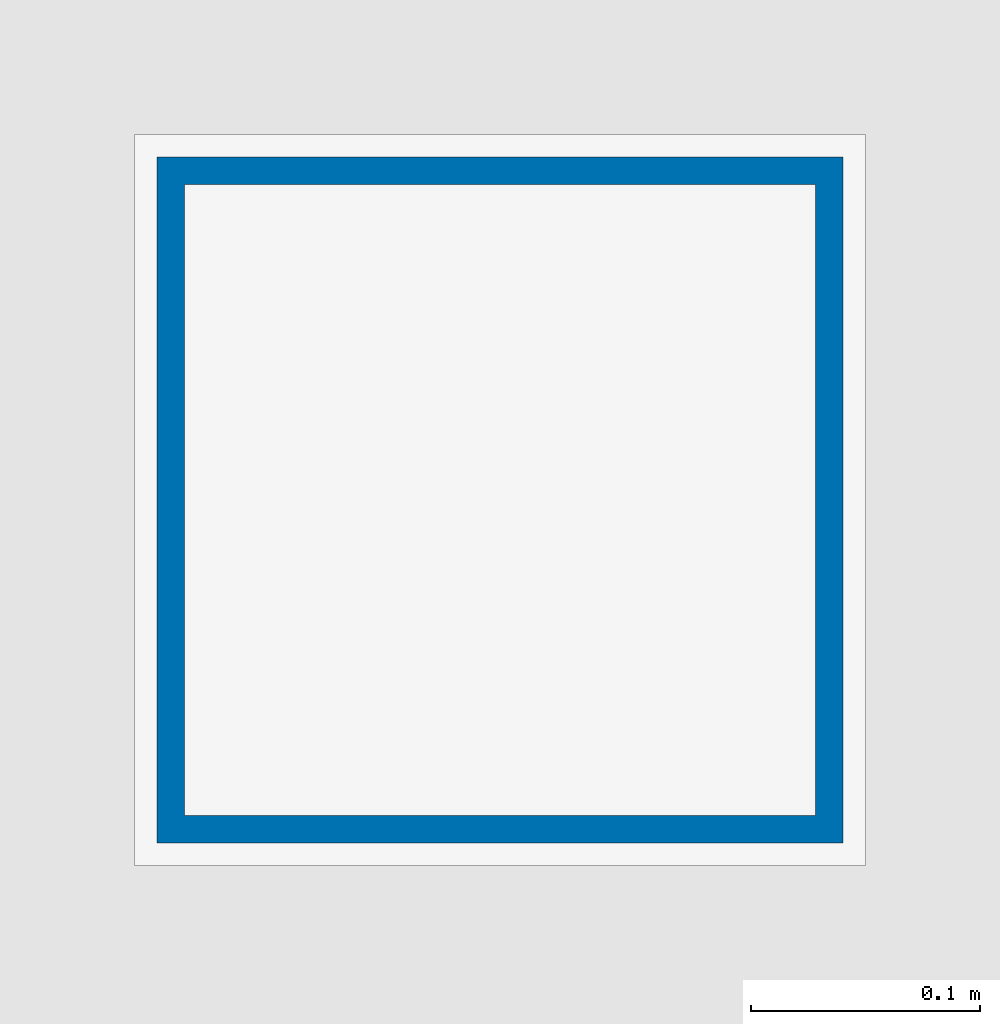
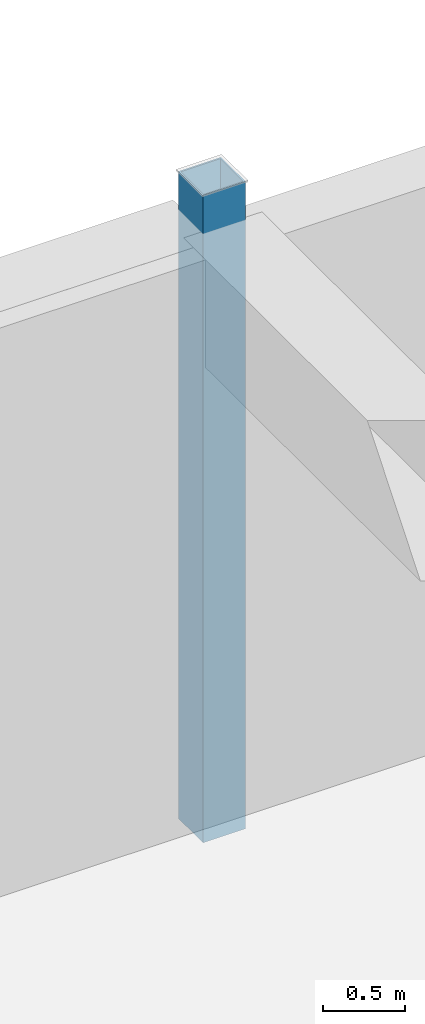
# One storey, part 11 of 42: 1 column.
"""IFC4 building model written with IfcOpenShell, lengths in metres."""

import ifcopenshell
import ifcopenshell.guid

model = None  # the IFC model being written
_history = None  # IfcOwnerHistory: only IFC2X3 demands one
_inside = {}  # id of a spatial element -> (the spatial element, [elements in it])
_under = {}  # id of a project, library or spatial element -> (it, [spatial elements below it])
_declared = {}  # id of a project -> (the project, [libraries it declares])
_typed = {}  # id of a type object -> (the type object, [elements of that type])
_made_of = {}  # id of a material, layer set ... -> (it, [elements and type objects made of it])


def new_model(schema):
    """Start an empty IFC model of exactly this schema.

    Asked for "IFC4X3", IfcOpenShell would pick the latest addendum, in which some entities
    have other attributes; the version numbers below select the first issue.
    IFC2X3 requires an IfcOwnerHistory on every rooted entity: one is made here for all.
    """
    global model, _history
    if schema == "IFC4X3":
        model = ifcopenshell.file(schema_version=(4, 3, 0, 0))
    else:
        model = ifcopenshell.file(schema=schema)
    _inside.clear()
    _under.clear()
    _declared.clear()
    _typed.clear()
    _made_of.clear()
    _history = None
    if model.schema == "IFC2X3":
        org = make("IfcOrganization", Name="unknown")
        user = make(
            "IfcPersonAndOrganization",
            ThePerson=make("IfcPerson", FamilyName="unknown"),
            TheOrganization=org,
        )
        app = make(
            "IfcApplication",
            ApplicationDeveloper=org,
            Version="unknown",
            ApplicationFullName="unknown",
            ApplicationIdentifier="unknown",
        )
        _history = make(
            "IfcOwnerHistory",
            OwningUser=user,
            OwningApplication=app,
            ChangeAction="ADDED",
            CreationDate=0,
        )
    return model


def make(cls, **values):
    """One entity of the class cls with the attributes given. An attribute that is None is left unset."""
    return model.create_entity(
        cls, **{name: value for name, value in values.items() if value is not None}
    )


def rooted(cls, **values):
    """An entity with a GlobalId (a new one), such as an element, a storey or a relation."""
    return make(cls, GlobalId=ifcopenshell.guid.new(), OwnerHistory=_history, **values)


def si_unit(unit_type, name, prefix=None):
    """IfcSIUnit, for example si_unit("LENGTHUNIT", "METRE", prefix="MILLI")."""
    return make("IfcSIUnit", UnitType=unit_type, Prefix=prefix, Name=name)


def assignment(units):
    """IfcUnitAssignment: the units of a project."""
    return None if units is None else make("IfcUnitAssignment", Units=units)


def point(xyz):
    """IfcCartesianPoint."""
    return None if xyz is None else make("IfcCartesianPoint", Coordinates=xyz)


def direction(xyz):
    """IfcDirection."""
    return None if xyz is None else make("IfcDirection", DirectionRatios=xyz)


def frame(location, z_axis=None, x_axis=None):
    """IfcAxis2Placement3D, a coordinate frame: its origin and axes. An axis left out is left unset."""
    return make(
        "IfcAxis2Placement3D",
        Location=point(location),
        Axis=direction(z_axis),
        RefDirection=direction(x_axis),
    )


def frame_2d(location, x_axis=None):
    """IfcAxis2Placement2D, a coordinate frame in the plane: its origin and x axis."""
    return make(
        "IfcAxis2Placement2D", Location=point(location), RefDirection=direction(x_axis)
    )


def origin():
    """The frame at (0, 0, 0) with its axes left unset."""
    return frame((0.0, 0.0, 0.0))


def origin_2d():
    """The frame at (0, 0) in the plane with its x axis left unset."""
    return frame_2d((0.0, 0.0))


def place(relative_to, where):
    """IfcLocalPlacement: puts the frame where relative to a parent placement (None: the world)."""
    return make(
        "IfcLocalPlacement", PlacementRelTo=relative_to, RelativePlacement=where
    )


def context(
    kind, dimensions, precision=None, world=None, true_north=None, identifier=None
):
    """IfcGeometricRepresentationContext, for example the 3D "Model" context."""
    return make(
        "IfcGeometricRepresentationContext",
        ContextIdentifier=identifier,
        ContextType=kind,
        CoordinateSpaceDimension=dimensions,
        Precision=precision,
        WorldCoordinateSystem=world,
        TrueNorth=true_north,
    )


def subcontext(parent, identifier, kind, view, scale=None):
    """IfcGeometricRepresentationSubContext, for example "Body" below "Model"."""
    return make(
        "IfcGeometricRepresentationSubContext",
        ContextIdentifier=identifier,
        ContextType=kind,
        ParentContext=parent,
        TargetScale=scale,
        TargetView=view,
    )


def project(units=None, contexts=None):
    """IfcProject with its units and contexts."""
    return rooted(
        "IfcProject",
        Name="project",
        RepresentationContexts=contexts,
        UnitsInContext=assignment(units),
    )


def spatial(cls, under=None, at=None, **own):
    """A site, building, storey or space (cls), placed at a placement, below another one or the project."""
    s = rooted(cls, ObjectPlacement=at, **own)
    if under is not None:
        _under.setdefault(under.id(), (under, []))[1].append(s)
    return s


def profile(cls, at=None, kind="AREA", **sizes):
    """A parametric profile (cls). Its sizes go by their IFC names, for example OverallWidth=200.0."""
    return make(cls, ProfileType=kind, Position=at, **sizes)


def hollow_rectangle(**sizes):
    """IfcRectangleHollowProfileDef."""
    return profile("IfcRectangleHollowProfileDef", **sizes)


def extrude(swept, where, along, depth):
    """IfcExtrudedAreaSolid: the profile swept, set in the frame where, extruded along a direction by depth."""
    return make(
        "IfcExtrudedAreaSolid",
        SweptArea=swept,
        Position=where,
        ExtrudedDirection=direction(along),
        Depth=depth,
    )


def shape(context_of_items, identifier, shape_type, items):
    """IfcShapeRepresentation: the items that make up one representation, for example the "Body"."""
    return make(
        "IfcShapeRepresentation",
        ContextOfItems=context_of_items,
        RepresentationIdentifier=identifier,
        RepresentationType=shape_type,
        Items=items,
    )


def material(Name=None, Category=None):
    """IfcMaterial."""
    return make("IfcMaterial", Name=Name, Category=Category)


def material_profile(
    of_material, cross_section, Name=None, Category=None, Priority=None
):
    """IfcMaterialProfile: a cross section and its material."""
    return make(
        "IfcMaterialProfile",
        Name=Name,
        Material=of_material,
        Profile=cross_section,
        Priority=Priority,
        Category=Category,
    )


def profile_set(profiles, Name=None, composite=None):
    """IfcMaterialProfileSet."""
    return make(
        "IfcMaterialProfileSet",
        Name=Name,
        MaterialProfiles=profiles,
        CompositeProfile=composite,
    )


def made_of(thing, what):
    """Note that an element or type object is made of a material, layer set ...; save() writes the relation."""
    if what is not None:
        _made_of.setdefault(what.id(), (what, []))[1].append(thing)
    return thing


def type_object(cls, material=None, **own):
    """A type object (cls), such as IfcWallType, which elements share."""
    return made_of(rooted(cls, **own), material)


def element(
    cls,
    number,
    at=None,
    inside=None,
    cuts=None,
    type_object=None,
    material=None,
    context=None,
    identifier="Body",
    shape_type=None,
    held_by="IfcProductDefinitionShape",
    body=None,
    shapes=None,
    **own,
):
    """One element of the class cls, such as IfcWall. Its Tag is "e" and its number.

    at: its placement. inside: the storey or other place that contains it. cuts: it is an
    opening in that element (IfcRelVoidsElement). A single representation is given by context,
    identifier, shape_type and body (its items); several are given by shapes. held_by: the class
    of the entity that holds the representations. save() writes the other relations.
    """
    e = rooted(cls, Tag="e%d" % number, ObjectPlacement=at, **own)
    if body is not None:
        shapes = [shape(context, identifier, shape_type, body)]
    if shapes is not None:
        e.Representation = make(held_by, Representations=shapes)
    if inside is not None:
        _inside.setdefault(inside.id(), (inside, []))[1].append(e)
    if cuts is not None:
        rooted(
            "IfcRelVoidsElement", RelatingBuildingElement=cuts, RelatedOpeningElement=e
        )
    if type_object is not None:
        _typed.setdefault(type_object.id(), (type_object, []))[1].append(e)
    return made_of(e, material)


def aggregate(whole, parts):
    """IfcRelAggregates: a whole, such as a stair, and the parts it consists of."""
    return rooted("IfcRelAggregates", RelatingObject=whole, RelatedObjects=parts)


def save(model, path):
    """Write the relations noted so far, then the file.

    IfcRelAggregates (storeys below a building ...), IfcRelContainedInSpatialStructure (elements
    in a storey), IfcRelDefinesByType, IfcRelAssociatesMaterial and IfcRelDeclares: one each for
    every whole, place, type object, material and project.
    """
    for whole, parts in _under.values():
        aggregate(whole, parts)
    for where, things in _inside.values():
        rooted(
            "IfcRelContainedInSpatialStructure",
            RelatedElements=things,
            RelatingStructure=where,
        )
    for kind, things in _typed.values():
        rooted("IfcRelDefinesByType", RelatedObjects=things, RelatingType=kind)
    for what, things in _made_of.values():
        rooted("IfcRelAssociatesMaterial", RelatedObjects=things, RelatingMaterial=what)
    for by, libraries in _declared.values():
        rooted("IfcRelDeclares", RelatingContext=by, RelatedDefinitions=libraries)
    model.write(path)


model = new_model("IFC4")

# Units and contexts
model_context = context("Model", 3, precision=1e-05, world=origin(), true_north=direction((0.0, 1.0)))
body_context = subcontext(model_context, "Body", "Model", "MODEL_VIEW")
ifc_project = project(units=[si_unit("LENGTHUNIT", "METRE"), si_unit("AREAUNIT", "SQUARE_METRE"), si_unit("VOLUMEUNIT", "CUBIC_METRE"), si_unit("PLANEANGLEUNIT", "RADIAN"), si_unit("MASSUNIT", "GRAM", prefix="KILO")], contexts=[model_context])

# Site, building, storey
site_placement = place(None, origin())
site = spatial("IfcSite", under=ifc_project, at=site_placement, CompositionType="ELEMENT")
building_placement = place(site_placement, origin())
building = spatial("IfcBuilding", under=site, at=building_placement, Name="Quendrovan Civic Courthouse", CompositionType="ELEMENT")
storey_placement = place(building_placement, frame((0.0, 0.0, -4.5)))
storey = spatial("IfcBuildingStorey", under=building, at=storey_placement, Name="B1", CompositionType="ELEMENT", Elevation=-4.5)

# Column
ifc_material = material(Name="Steel ASTM A500 Grade C", Category="steel")
ifc_material_profile = material_profile(ifc_material, hollow_rectangle(XDim=0.300048828125, YDim=0.300048828125, WallThickness=0.011962890625, at=origin_2d()), Name="HSS300x300x12")
ifc_profile_set = profile_set([ifc_material_profile], Name="Steel ASTM A500 Grade C")
column_type = type_object("IfcColumnType", Name="COL-STL-HSS300S", PredefinedType="COLUMN", material=ifc_profile_set)
column_placement = place(storey_placement, frame((109.199951171875, 15.60009765625, -0.300048828125), z_axis=(0.0, 0.0, 1.0), x_axis=(1.0, 0.0, 0.0)))
element("IfcColumn", 1, at=column_placement, inside=storey, type_object=column_type, Name="B1 Column 14-C", PredefinedType="COLUMN", context=body_context, shape_type="SweptSolid", body=[
    extrude(hollow_rectangle(XDim=0.300048828125, YDim=0.300048828125, WallThickness=0.011962890625, at=origin_2d()), origin(), (0.0, 0.0, 1.0), 4.800048828125),
])

save(model, "model.ifc")
